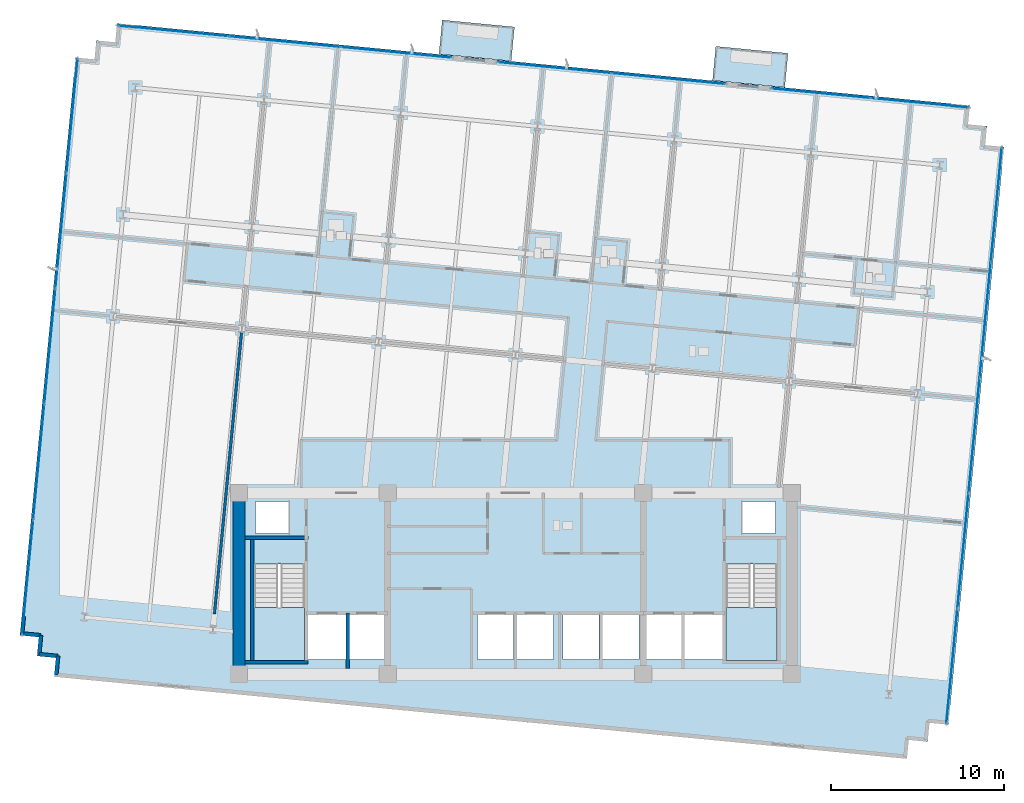
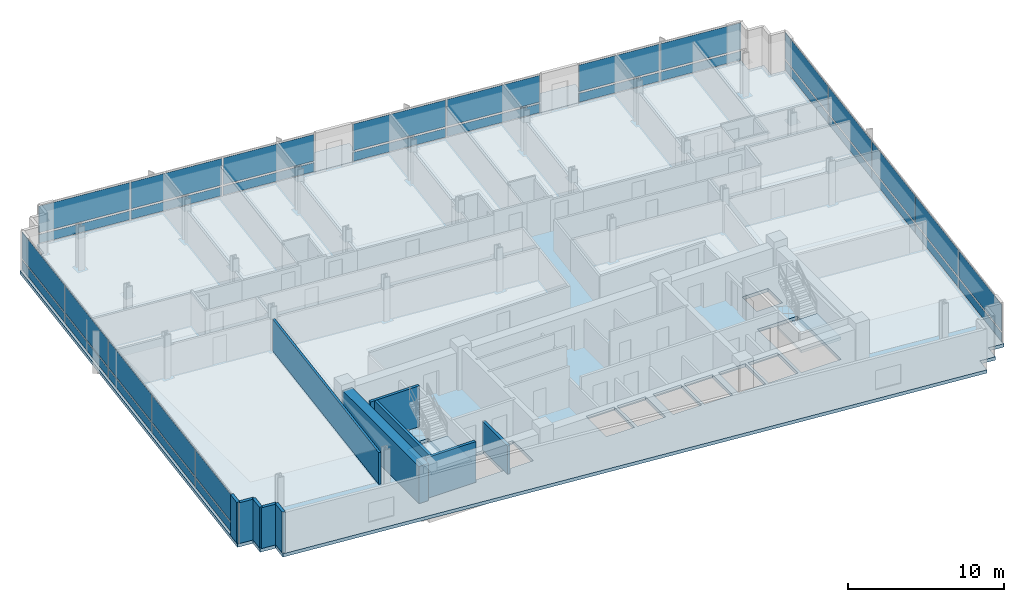
# One storey, part 9 of 17: 34 plates, 11 walls, 5 slabs, 7 elements without a shape of their own.
"""IFC4 building model written with IfcOpenShell, lengths in metres."""

from ifc_helpers import new_model, si_unit, direction, frame, frame_2d, origin, origin_2d, place, context, subcontext, project, spatial, polyline, rectangle, outline, extrude, material, layer, layer_set, type_object, element, aggregate, save


model = new_model("IFC4")

# Units and contexts
model_context = context("Model", 3, precision=1e-05, world=origin(), true_north=direction((0.0, 1.0)))
body_context = subcontext(model_context, "Body", "Model", "MODEL_VIEW")
ifc_project = project(units=[si_unit("LENGTHUNIT", "METRE"), si_unit("AREAUNIT", "SQUARE_METRE"), si_unit("VOLUMEUNIT", "CUBIC_METRE"), si_unit("PLANEANGLEUNIT", "RADIAN"), si_unit("MASSUNIT", "GRAM", prefix="KILO")], contexts=[model_context])

# Site, building, storey
site_placement = place(None, origin())
site = spatial("IfcSite", under=ifc_project, at=site_placement, CompositionType="ELEMENT")
building_placement = place(site_placement, origin())
building = spatial("IfcBuilding", under=site, at=building_placement, Name="Solmavex Isthmus Hotel", CompositionType="ELEMENT")
storey_placement = place(building_placement, frame((0.0, 0.0, 173.85009765625)))
storey = spatial("IfcBuildingStorey", under=building, at=storey_placement, Name="L47", CompositionType="ELEMENT", Elevation=173.85009765625)

# Curtain wall, plates
ifc_material_1 = material(Name="Aluminium alloy 6063-T6", Category="aluminium")
curtain_wall_type = type_object("IfcCurtainWallType", Name="CW-SYS-03", PredefinedType="NOTDEFINED", material=ifc_material_1)
curtain_wall_1_placement = place(storey_placement, origin())
curtain_wall_1 = element("IfcCurtainWall", 1, at=curtain_wall_1_placement, inside=storey, type_object=curtain_wall_type, Name="Stick Curtain Wall CWL-L47-N1", PredefinedType="NOTDEFINED")
ifc_material_2 = material(Name="Clear low-E laminated glass", Category="glass")
ifc_layer_1 = layer(ifc_material_2, 0.030029296875)
ifc_layer_set_1 = layer_set([ifc_layer_1], Name="Clear low-E laminated glass")
plate_type = type_object("IfcPlateType", Name="CW-SYS-03-PNL", PredefinedType="CURTAIN_PANEL", material=ifc_layer_set_1)
plate_1_placement = place(storey_placement, frame((-19.820068359375, 24.256591796875, 0.139892578125), z_axis=(0.0, 0.0, 1.0), x_axis=(0.995396204731, -0.095845686434, 0.0)))
plate_1 = element("IfcPlate", 2, at=plate_1_placement, type_object=plate_type, Name="CW-03 panel 1.1", PredefinedType="CURTAIN_PANEL", context=body_context, shape_type="SweptSolid", body=[
    extrude(rectangle(XDim=6.40234375, YDim=0.030029296875, at=origin_2d()), origin(), (0.0, 0.0, 1.0), 0.68994140625),
])
plate_2_placement = place(storey_placement, frame((-19.820068359375, 24.256591796875, 0.969970703125), z_axis=(0.0, 0.0, 1.0), x_axis=(0.995396204731, -0.095845686434, 0.0)))
plate_2 = element("IfcPlate", 3, at=plate_2_placement, type_object=plate_type, Name="CW-03 panel 1.2", PredefinedType="CURTAIN_PANEL", context=body_context, shape_type="SweptSolid", body=[
    extrude(rectangle(XDim=6.40234375, YDim=0.030029296875, at=origin_2d()), origin(), (0.0, 0.0, 1.0), 2.080078125),
])
plate_3_placement = place(storey_placement, frame((-13.360107421875, 23.634521484375, 0.139892578125), z_axis=(0.0, 0.0, 1.0), x_axis=(0.995396204731, -0.095845686434, 0.0)))
plate_3 = element("IfcPlate", 4, at=plate_3_placement, type_object=plate_type, Name="CW-03 panel 2.1", PredefinedType="CURTAIN_PANEL", context=body_context, shape_type="SweptSolid", body=[
    extrude(rectangle(XDim=6.437255859375, YDim=0.030029296875, at=origin_2d()), origin(), (0.0, 0.0, 1.0), 0.68994140625),
])
plate_4_placement = place(storey_placement, frame((-13.360107421875, 23.634521484375, 0.969970703125), z_axis=(0.0, 0.0, 1.0), x_axis=(0.995396204731, -0.095845686434, 0.0)))
plate_4 = element("IfcPlate", 5, at=plate_4_placement, type_object=plate_type, Name="CW-03 panel 2.2", PredefinedType="CURTAIN_PANEL", context=body_context, shape_type="SweptSolid", body=[
    extrude(rectangle(XDim=6.437255859375, YDim=0.030029296875, at=origin_2d()), origin(), (0.0, 0.0, 1.0), 2.080078125),
])
plate_5_placement = place(storey_placement, frame((-6.900146484375, 23.012451171875, 0.139892578125), z_axis=(0.0, 0.0, 1.0), x_axis=(0.995396204731, -0.095845686434, 0.0)))
plate_5 = element("IfcPlate", 6, at=plate_5_placement, type_object=plate_type, Name="CW-03 panel 3.1", PredefinedType="CURTAIN_PANEL", context=body_context, shape_type="SweptSolid", body=[
    extrude(rectangle(XDim=6.40234375, YDim=0.030029296875, at=origin_2d()), origin(), (0.0, 0.0, 1.0), 0.68994140625),
])
plate_6_placement = place(storey_placement, frame((-6.900146484375, 23.012451171875, 0.969970703125), z_axis=(0.0, 0.0, 1.0), x_axis=(0.995396204731, -0.095845686434, 0.0)))
plate_6 = element("IfcPlate", 7, at=plate_6_placement, type_object=plate_type, Name="CW-03 panel 3.2", PredefinedType="CURTAIN_PANEL", context=body_context, shape_type="SweptSolid", body=[
    extrude(rectangle(XDim=6.40234375, YDim=0.030029296875, at=origin_2d()), origin(), (0.0, 0.0, 1.0), 2.080078125),
])
aggregate(curtain_wall_1, [plate_1, plate_2, plate_3, plate_4, plate_5, plate_6])

curtain_wall_2_placement = place(storey_placement, origin())
curtain_wall_2 = element("IfcCurtainWall", 8, at=curtain_wall_2_placement, inside=storey, type_object=curtain_wall_type, Name="Stick Curtain Wall CWL-L47-N2", PredefinedType="NOTDEFINED")
plate_7_placement = place(storey_placement, frame((2.27392578125, 22.129150390625, 0.139892578125), z_axis=(0.0, 0.0, 1.0), x_axis=(0.995396257521, -0.095845138178, 0.0)))
plate_7 = element("IfcPlate", 9, at=plate_7_placement, type_object=plate_type, Name="CW-03 panel 1.1", PredefinedType="CURTAIN_PANEL", context=body_context, shape_type="SweptSolid", body=[
    extrude(rectangle(XDim=6.551025390625, YDim=0.030029296875, at=origin_2d()), origin(), (0.0, 0.0, 1.0), 0.68994140625),
])
plate_8_placement = place(storey_placement, frame((2.27392578125, 22.129150390625, 0.969970703125), z_axis=(0.0, 0.0, 1.0), x_axis=(0.995396257521, -0.095845138178, 0.0)))
plate_8 = element("IfcPlate", 10, at=plate_8_placement, type_object=plate_type, Name="CW-03 panel 1.2", PredefinedType="CURTAIN_PANEL", context=body_context, shape_type="SweptSolid", body=[
    extrude(rectangle(XDim=6.551025390625, YDim=0.030029296875, at=origin_2d()), origin(), (0.0, 0.0, 1.0), 2.080078125),
])
plate_9_placement = place(storey_placement, frame((8.864501953125, 21.49462890625, 0.139892578125), z_axis=(0.0, 0.0, 1.0), x_axis=(0.995396257521, -0.095845138178, 0.0)))
plate_9 = element("IfcPlate", 11, at=plate_9_placement, type_object=plate_type, Name="CW-03 panel 2.1", PredefinedType="CURTAIN_PANEL", context=body_context, shape_type="SweptSolid", body=[
    extrude(rectangle(XDim=6.551025390625, YDim=0.030029296875, at=origin_2d()), origin(), (0.0, 0.0, 1.0), 0.68994140625),
])
plate_10_placement = place(storey_placement, frame((8.864501953125, 21.49462890625, 0.969970703125), z_axis=(0.0, 0.0, 1.0), x_axis=(0.995396257521, -0.095845138178, 0.0)))
plate_10 = element("IfcPlate", 12, at=plate_10_placement, type_object=plate_type, Name="CW-03 panel 2.2", PredefinedType="CURTAIN_PANEL", context=body_context, shape_type="SweptSolid", body=[
    extrude(rectangle(XDim=6.551025390625, YDim=0.030029296875, at=origin_2d()), origin(), (0.0, 0.0, 1.0), 2.080078125),
])
aggregate(curtain_wall_2, [plate_7, plate_8, plate_9, plate_10])

curtain_wall_3_placement = place(storey_placement, origin())
curtain_wall_3 = element("IfcCurtainWall", 13, at=curtain_wall_3_placement, inside=storey, type_object=curtain_wall_type, Name="Stick Curtain Wall CWL-L47-N3", PredefinedType="NOTDEFINED")
plate_11_placement = place(storey_placement, frame((17.67822265625, 20.645751953125, 0.139892578125), z_axis=(0.0, 0.0, 1.0), x_axis=(0.995396212717, -0.095845603495, 0.0)))
plate_11 = element("IfcPlate", 14, at=plate_11_placement, type_object=plate_type, Name="CW-03 panel 1.1", PredefinedType="CURTAIN_PANEL", context=body_context, shape_type="SweptSolid", body=[
    extrude(rectangle(XDim=5.677978515625, YDim=0.030029296875, at=origin_2d()), origin(), (0.0, 0.0, 1.0), 0.68994140625),
])
plate_12_placement = place(storey_placement, frame((17.67822265625, 20.645751953125, 0.969970703125), z_axis=(0.0, 0.0, 1.0), x_axis=(0.995396212717, -0.095845603495, 0.0)))
plate_12 = element("IfcPlate", 15, at=plate_12_placement, type_object=plate_type, Name="CW-03 panel 1.2", PredefinedType="CURTAIN_PANEL", context=body_context, shape_type="SweptSolid", body=[
    extrude(rectangle(XDim=5.677978515625, YDim=0.030029296875, at=origin_2d()), origin(), (0.0, 0.0, 1.0), 2.080078125),
])
plate_13_placement = place(storey_placement, frame((23.39990234375, 20.094970703125, 0.139892578125), z_axis=(0.0, 0.0, 1.0), x_axis=(0.995396212717, -0.095845603495, 0.0)))
plate_13 = element("IfcPlate", 16, at=plate_13_placement, type_object=plate_type, Name="CW-03 panel 2.1", PredefinedType="CURTAIN_PANEL", context=body_context, shape_type="SweptSolid", body=[
    extrude(rectangle(XDim=5.677978515625, YDim=0.030029296875, at=origin_2d()), origin(), (0.0, 0.0, 1.0), 0.68994140625),
])
plate_14_placement = place(storey_placement, frame((23.39990234375, 20.094970703125, 0.969970703125), z_axis=(0.0, 0.0, 1.0), x_axis=(0.995396212717, -0.095845603495, 0.0)))
plate_14 = element("IfcPlate", 17, at=plate_14_placement, type_object=plate_type, Name="CW-03 panel 2.2", PredefinedType="CURTAIN_PANEL", context=body_context, shape_type="SweptSolid", body=[
    extrude(rectangle(XDim=5.677978515625, YDim=0.030029296875, at=origin_2d()), origin(), (0.0, 0.0, 1.0), 2.080078125),
])
aggregate(curtain_wall_3, [plate_11, plate_12, plate_13, plate_14])

curtain_wall_4_placement = place(storey_placement, origin())
curtain_wall_4 = element("IfcCurtainWall", 18, at=curtain_wall_4_placement, inside=storey, type_object=curtain_wall_type, Name="Stick Curtain Wall CWL-L47-W1", PredefinedType="NOTDEFINED")
plate_15_placement = place(storey_placement, frame((-28.24267578125, -7.38427734375, 0.139892578125), z_axis=(0.0, 0.0, 1.0), x_axis=(0.09584583902, 0.995396190038, 0.0)))
plate_15 = element("IfcPlate", 19, at=plate_15_placement, type_object=plate_type, Name="CW-03 panel 1.1", PredefinedType="CURTAIN_PANEL", context=body_context, shape_type="SweptSolid", body=[
    extrude(rectangle(XDim=6.614990234375, YDim=0.030029296875, at=origin_2d()), origin(), (0.0, 0.0, 1.0), 0.68994140625),
])
plate_16_placement = place(storey_placement, frame((-28.24267578125, -7.38427734375, 0.969970703125), z_axis=(0.0, 0.0, 1.0), x_axis=(0.09584583902, 0.995396190038, 0.0)))
plate_16 = element("IfcPlate", 20, at=plate_16_placement, type_object=plate_type, Name="CW-03 panel 1.2", PredefinedType="CURTAIN_PANEL", context=body_context, shape_type="SweptSolid", body=[
    extrude(rectangle(XDim=6.614990234375, YDim=0.030029296875, at=origin_2d()), origin(), (0.0, 0.0, 1.0), 2.080078125),
])
plate_17_placement = place(storey_placement, frame((-27.600341796875, -0.712646484375, 0.139892578125), z_axis=(0.0, 0.0, 1.0), x_axis=(0.09584583902, 0.995396190038, 0.0)))
plate_17 = element("IfcPlate", 21, at=plate_17_placement, type_object=plate_type, Name="CW-03 panel 2.1", PredefinedType="CURTAIN_PANEL", context=body_context, shape_type="SweptSolid", body=[
    extrude(rectangle(XDim=6.64990234375, YDim=0.030029296875, at=origin_2d()), origin(), (0.0, 0.0, 1.0), 0.68994140625),
])
plate_18_placement = place(storey_placement, frame((-27.600341796875, -0.712646484375, 0.969970703125), z_axis=(0.0, 0.0, 1.0), x_axis=(0.09584583902, 0.995396190038, 0.0)))
plate_18 = element("IfcPlate", 22, at=plate_18_placement, type_object=plate_type, Name="CW-03 panel 2.2", PredefinedType="CURTAIN_PANEL", context=body_context, shape_type="SweptSolid", body=[
    extrude(rectangle(XDim=6.64990234375, YDim=0.030029296875, at=origin_2d()), origin(), (0.0, 0.0, 1.0), 2.080078125),
])
plate_19_placement = place(storey_placement, frame((-26.956298828125, 5.976318359375, 0.139892578125), z_axis=(0.0, 0.0, 1.0), x_axis=(0.09584583902, 0.995396190038, 0.0)))
plate_19 = element("IfcPlate", 23, at=plate_19_placement, type_object=plate_type, Name="CW-03 panel 3.1", PredefinedType="CURTAIN_PANEL", context=body_context, shape_type="SweptSolid", body=[
    extrude(rectangle(XDim=6.64990234375, YDim=0.030029296875, at=origin_2d()), origin(), (0.0, 0.0, 1.0), 0.68994140625),
])
plate_20_placement = place(storey_placement, frame((-26.956298828125, 5.976318359375, 0.969970703125), z_axis=(0.0, 0.0, 1.0), x_axis=(0.09584583902, 0.995396190038, 0.0)))
plate_20 = element("IfcPlate", 24, at=plate_20_placement, type_object=plate_type, Name="CW-03 panel 3.2", PredefinedType="CURTAIN_PANEL", context=body_context, shape_type="SweptSolid", body=[
    extrude(rectangle(XDim=6.64990234375, YDim=0.030029296875, at=origin_2d()), origin(), (0.0, 0.0, 1.0), 2.080078125),
])
plate_21_placement = place(storey_placement, frame((-26.312255859375, 12.665283203125, 0.139892578125), z_axis=(0.0, 0.0, 1.0), x_axis=(0.09584583902, 0.995396190038, 0.0)))
plate_21 = element("IfcPlate", 25, at=plate_21_placement, type_object=plate_type, Name="CW-03 panel 4.1", PredefinedType="CURTAIN_PANEL", context=body_context, shape_type="SweptSolid", body=[
    extrude(rectangle(XDim=6.64990234375, YDim=0.030029296875, at=origin_2d()), origin(), (0.0, 0.0, 1.0), 0.68994140625),
])
plate_22_placement = place(storey_placement, frame((-26.312255859375, 12.665283203125, 0.969970703125), z_axis=(0.0, 0.0, 1.0), x_axis=(0.09584583902, 0.995396190038, 0.0)))
plate_22 = element("IfcPlate", 26, at=plate_22_placement, type_object=plate_type, Name="CW-03 panel 4.2", PredefinedType="CURTAIN_PANEL", context=body_context, shape_type="SweptSolid", body=[
    extrude(rectangle(XDim=6.64990234375, YDim=0.030029296875, at=origin_2d()), origin(), (0.0, 0.0, 1.0), 2.080078125),
])
plate_23_placement = place(storey_placement, frame((-25.669677734375, 19.337158203125, 0.139892578125), z_axis=(0.0, 0.0, 1.0), x_axis=(0.09584583902, 0.995396190038, 0.0)))
plate_23 = element("IfcPlate", 27, at=plate_23_placement, type_object=plate_type, Name="CW-03 panel 5.1", PredefinedType="CURTAIN_PANEL", context=body_context, shape_type="SweptSolid", body=[
    extrude(rectangle(XDim=6.614990234375, YDim=0.030029296875, at=origin_2d()), origin(), (0.0, 0.0, 1.0), 0.68994140625),
])
plate_24_placement = place(storey_placement, frame((-25.669677734375, 19.337158203125, 0.969970703125), z_axis=(0.0, 0.0, 1.0), x_axis=(0.09584583902, 0.995396190038, 0.0)))
plate_24 = element("IfcPlate", 28, at=plate_24_placement, type_object=plate_type, Name="CW-03 panel 5.2", PredefinedType="CURTAIN_PANEL", context=body_context, shape_type="SweptSolid", body=[
    extrude(rectangle(XDim=6.614990234375, YDim=0.030029296875, at=origin_2d()), origin(), (0.0, 0.0, 1.0), 2.080078125),
])
aggregate(curtain_wall_4, [plate_15, plate_16, plate_17, plate_18, plate_19, plate_20, plate_21, plate_22, plate_23, plate_24])

curtain_wall_5_placement = place(storey_placement, origin())
curtain_wall_5 = element("IfcCurtainWall", 29, at=curtain_wall_5_placement, inside=storey, type_object=curtain_wall_type, Name="Stick Curtain Wall CWL-L47-E1", PredefinedType="NOTDEFINED")
plate_25_placement = place(storey_placement, frame((25.269775390625, -12.537109375, 0.139892578125), z_axis=(0.0, 0.0, 1.0), x_axis=(0.09584583902, 0.995396190038, 0.0)))
plate_25 = element("IfcPlate", 30, at=plate_25_placement, type_object=plate_type, Name="CW-03 panel 1.1", PredefinedType="CURTAIN_PANEL", context=body_context, shape_type="SweptSolid", body=[
    extrude(rectangle(XDim=6.614990234375, YDim=0.030029296875, at=origin_2d()), origin(), (0.0, 0.0, 1.0), 0.68994140625),
])
plate_26_placement = place(storey_placement, frame((25.269775390625, -12.537109375, 0.969970703125), z_axis=(0.0, 0.0, 1.0), x_axis=(0.09584583902, 0.995396190038, 0.0)))
plate_26 = element("IfcPlate", 31, at=plate_26_placement, type_object=plate_type, Name="CW-03 panel 1.2", PredefinedType="CURTAIN_PANEL", context=body_context, shape_type="SweptSolid", body=[
    extrude(rectangle(XDim=6.614990234375, YDim=0.030029296875, at=origin_2d()), origin(), (0.0, 0.0, 1.0), 2.080078125),
])
plate_27_placement = place(storey_placement, frame((25.912109375, -5.865478515625, 0.139892578125), z_axis=(0.0, 0.0, 1.0), x_axis=(0.09584583902, 0.995396190038, 0.0)))
plate_27 = element("IfcPlate", 32, at=plate_27_placement, type_object=plate_type, Name="CW-03 panel 2.1", PredefinedType="CURTAIN_PANEL", context=body_context, shape_type="SweptSolid", body=[
    extrude(rectangle(XDim=6.64990234375, YDim=0.030029296875, at=origin_2d()), origin(), (0.0, 0.0, 1.0), 0.68994140625),
])
plate_28_placement = place(storey_placement, frame((25.912109375, -5.865478515625, 0.969970703125), z_axis=(0.0, 0.0, 1.0), x_axis=(0.09584583902, 0.995396190038, 0.0)))
plate_28 = element("IfcPlate", 33, at=plate_28_placement, type_object=plate_type, Name="CW-03 panel 2.2", PredefinedType="CURTAIN_PANEL", context=body_context, shape_type="SweptSolid", body=[
    extrude(rectangle(XDim=6.64990234375, YDim=0.030029296875, at=origin_2d()), origin(), (0.0, 0.0, 1.0), 2.080078125),
])
plate_29_placement = place(storey_placement, frame((26.55615234375, 0.82373046875, 0.139892578125), z_axis=(0.0, 0.0, 1.0), x_axis=(0.09584583902, 0.995396190038, 0.0)))
plate_29 = element("IfcPlate", 34, at=plate_29_placement, type_object=plate_type, Name="CW-03 panel 3.1", PredefinedType="CURTAIN_PANEL", context=body_context, shape_type="SweptSolid", body=[
    extrude(rectangle(XDim=6.64990234375, YDim=0.030029296875, at=origin_2d()), origin(), (0.0, 0.0, 1.0), 0.68994140625),
])
plate_30_placement = place(storey_placement, frame((26.55615234375, 0.82373046875, 0.969970703125), z_axis=(0.0, 0.0, 1.0), x_axis=(0.09584583902, 0.995396190038, 0.0)))
plate_30 = element("IfcPlate", 35, at=plate_30_placement, type_object=plate_type, Name="CW-03 panel 3.2", PredefinedType="CURTAIN_PANEL", context=body_context, shape_type="SweptSolid", body=[
    extrude(rectangle(XDim=6.64990234375, YDim=0.030029296875, at=origin_2d()), origin(), (0.0, 0.0, 1.0), 2.080078125),
])
plate_31_placement = place(storey_placement, frame((27.200439453125, 7.5126953125, 0.139892578125), z_axis=(0.0, 0.0, 1.0), x_axis=(0.09584583902, 0.995396190038, 0.0)))
plate_31 = element("IfcPlate", 36, at=plate_31_placement, type_object=plate_type, Name="CW-03 panel 4.1", PredefinedType="CURTAIN_PANEL", context=body_context, shape_type="SweptSolid", body=[
    extrude(rectangle(XDim=6.64990234375, YDim=0.030029296875, at=origin_2d()), origin(), (0.0, 0.0, 1.0), 0.68994140625),
])
plate_32_placement = place(storey_placement, frame((27.200439453125, 7.5126953125, 0.969970703125), z_axis=(0.0, 0.0, 1.0), x_axis=(0.09584583902, 0.995396190038, 0.0)))
plate_32 = element("IfcPlate", 37, at=plate_32_placement, type_object=plate_type, Name="CW-03 panel 4.2", PredefinedType="CURTAIN_PANEL", context=body_context, shape_type="SweptSolid", body=[
    extrude(rectangle(XDim=6.64990234375, YDim=0.030029296875, at=origin_2d()), origin(), (0.0, 0.0, 1.0), 2.080078125),
])
plate_33_placement = place(storey_placement, frame((27.8427734375, 14.184326171875, 0.139892578125), z_axis=(0.0, 0.0, 1.0), x_axis=(0.09584583902, 0.995396190038, 0.0)))
plate_33 = element("IfcPlate", 38, at=plate_33_placement, type_object=plate_type, Name="CW-03 panel 5.1", PredefinedType="CURTAIN_PANEL", context=body_context, shape_type="SweptSolid", body=[
    extrude(rectangle(XDim=6.614990234375, YDim=0.030029296875, at=origin_2d()), origin(), (0.0, 0.0, 1.0), 0.68994140625),
])
plate_34_placement = place(storey_placement, frame((27.8427734375, 14.184326171875, 0.969970703125), z_axis=(0.0, 0.0, 1.0), x_axis=(0.09584583902, 0.995396190038, 0.0)))
plate_34 = element("IfcPlate", 39, at=plate_34_placement, type_object=plate_type, Name="CW-03 panel 5.2", PredefinedType="CURTAIN_PANEL", context=body_context, shape_type="SweptSolid", body=[
    extrude(rectangle(XDim=6.614990234375, YDim=0.030029296875, at=origin_2d()), origin(), (0.0, 0.0, 1.0), 2.080078125),
])
aggregate(curtain_wall_5, [plate_25, plate_26, plate_27, plate_28, plate_29, plate_30, plate_31, plate_32, plate_33, plate_34])

# Slabs
ifc_material_3 = material(Name="Concrete C40/50", Category="concrete")
ifc_layer_2 = layer(ifc_material_3, 0.239990234375)
ifc_layer_set_2 = layer_set([ifc_layer_2], Name="Concrete C40/50")
slab_type_1 = type_object("IfcSlabType", Name="SLAB-BALC-240", PredefinedType="FLOOR", material=ifc_layer_set_2)
slab_1_placement = place(storey_placement, frame((0.0, 0.0, -0.239990234375)))
element("IfcSlab", 40, at=slab_1_placement, inside=storey, type_object=slab_type_1, Name="Tree-Planter Balcony Slab L47-B1", PredefinedType="FLOOR", context=body_context, shape_type="SweptSolid", body=[
    extrude(outline(polyline([(-4.427490234375, 22.909912109375), (-0.246826171875, 22.507568359375), (-0.056640625, 24.4833984375), (-4.2373046875, 24.885986328125), (-4.427490234375, 22.909912109375)])), origin(), (0.0, 0.0, 1.0), 0.239990234375),
])
slab_2_placement = place(storey_placement, frame((0.0, 0.0, -0.239990234375)))
element("IfcSlab", 41, at=slab_2_placement, inside=storey, type_object=slab_type_1, Name="Tree-Planter Balcony Slab L47-B2", PredefinedType="FLOOR", context=body_context, shape_type="SweptSolid", body=[
    extrude(outline(polyline([(11.4111328125, 21.385009765625), (15.591796875, 20.982421875), (15.7822265625, 22.958251953125), (11.6015625, 23.36083984375), (11.4111328125, 21.385009765625)])), origin(), (0.0, 0.0, 1.0), 0.239990234375),
])
ifc_layer_3 = layer(ifc_material_3, 0.260009765625)
ifc_layer_set_3 = layer_set([ifc_layer_3], Name="Concrete C40/50")
slab_type_2 = type_object("IfcSlabType", Name="SLAB-TYP-260", PredefinedType="FLOOR", material=ifc_layer_set_3)
slab_3_placement = place(storey_placement, frame((0.0, 0.0, -0.260009765625)))
element("IfcSlab", 42, at=slab_3_placement, inside=storey, type_object=slab_type_2, Name="Tower Structural Floor Slab L47", PredefinedType="FLOOR", context=body_context, shape_type="SweptSolid", body=[
    extrude(outline(polyline([(-25.612060546875, -13.240966796875), (21.56982421875, -17.7841796875), (22.664794921875, -17.889404296875), (22.770263671875, -16.794677734375), (23.865234375, -16.89990234375), (23.970458984375, -15.80517578125), (25.0654296875, -15.910400390625), (25.1708984375, -14.815673828125), (28.180419921875, 16.43994140625), (28.285888671875, 17.534912109375), (27.19091796875, 17.64013671875), (27.29638671875, 18.735107421875), (26.201416015625, 18.840576171875), (26.306884765625, 19.935546875), (25.2119140625, 20.041015625), (-21.9697265625, 24.583984375), (-23.064697265625, 24.689453125), (-23.170166015625, 23.594482421875), (-24.26513671875, 23.699951171875), (-24.37060546875, 22.60498046875), (-25.465576171875, 22.71044921875), (-25.57080078125, 21.615478515625), (-28.58056640625, -9.639892578125), (-28.685791015625, -10.73486328125), (-27.591064453125, -10.84033203125), (-27.6962890625, -11.935302734375), (-26.6015625, -12.04052734375), (-26.706787109375, -13.135498046875), (-25.612060546875, -13.240966796875)]), holes=[polyline([(-15.14990234375, -6.617919921875), (-15.14990234375, -12.199951171875), (-12.199951171875, -12.199951171875), (-12.199951171875, -6.617919921875), (-15.14990234375, -6.617919921875)]), polyline([(12.199951171875, -6.617919921875), (12.199951171875, -12.199951171875), (15.14990234375, -12.199951171875), (15.14990234375, -6.617919921875), (12.199951171875, -6.617919921875)]), polyline([(-12.0, -12.14990234375), (-9.800048828125, -12.14990234375), (-9.800048828125, -9.550048828125), (-12.0, -9.550048828125), (-12.0, -12.14990234375)]), polyline([(9.800048828125, -12.14990234375), (12.0, -12.14990234375), (12.0, -9.550048828125), (9.800048828125, -9.550048828125), (9.800048828125, -12.14990234375)]), polyline([(-9.60009765625, -12.14990234375), (-7.60009765625, -12.14990234375), (-7.60009765625, -9.550048828125), (-9.60009765625, -9.550048828125), (-9.60009765625, -12.14990234375)]), polyline([(7.60009765625, -12.14990234375), (9.60009765625, -12.14990234375), (9.60009765625, -9.550048828125), (7.60009765625, -9.550048828125), (7.60009765625, -12.14990234375)]), polyline([(-2.199951171875, -12.14990234375), (-0.10009765625, -12.14990234375), (-0.10009765625, -9.550048828125), (-2.199951171875, -9.550048828125), (-2.199951171875, -12.14990234375)]), polyline([(0.10009765625, -12.14990234375), (2.199951171875, -12.14990234375), (2.199951171875, -9.550048828125), (0.10009765625, -9.550048828125), (0.10009765625, -12.14990234375)]), polyline([(2.75, -12.14990234375), (4.85009765625, -12.14990234375), (4.85009765625, -9.550048828125), (2.75, -9.550048828125), (2.75, -12.14990234375)]), polyline([(5.050048828125, -12.14990234375), (7.14990234375, -12.14990234375), (7.14990234375, -9.550048828125), (5.050048828125, -9.550048828125), (5.050048828125, -12.14990234375)]), polyline([(-15.050048828125, -4.85009765625), (-13.14990234375, -4.85009765625), (-13.14990234375, -3.0), (-15.050048828125, -3.0), (-15.050048828125, -4.85009765625)]), polyline([(13.14990234375, -4.85009765625), (15.050048828125, -4.85009765625), (15.050048828125, -3.0), (13.14990234375, -3.0), (13.14990234375, -4.85009765625)])]), origin(), (0.0, 0.0, 1.0), 0.260009765625),
])

# Stair, slab
stair_type_1 = type_object("IfcStairType", Name="STR-ST-1", PredefinedType="HALF_TURN_STAIR", material=ifc_material_3)
stair_1_placement = place(storey_placement, origin())
stair_1 = element("IfcStair", 43, at=stair_1_placement, inside=storey, type_object=stair_type_1, Name="L47 Protected Exit Stair ST-1", PredefinedType="HALF_TURN_STAIR")
ifc_layer_4 = layer(ifc_material_3, 0.219970703125)
ifc_layer_set_4 = layer_set([ifc_layer_4], Name="Concrete C40/50")
slab_type_3 = type_object("IfcSlabType", Name="SLD-ST-1", PredefinedType="LANDING", material=ifc_layer_set_4)
slab_4_placement = place(storey_placement, frame((0.0, 0.0, 1.52490234375)))
slab_4 = element("IfcSlab", 44, at=slab_4_placement, type_object=slab_type_3, Name="ST-1 landing 1", PredefinedType="LANDING", context=body_context, shape_type="SweptSolid", body=[
    extrude(outline(polyline([(-15.14990234375, -9.1201171875), (-15.14990234375, -12.199951171875), (-12.199951171875, -12.199951171875), (-12.199951171875, -9.1201171875), (-15.14990234375, -9.1201171875)])), origin(), (0.0, 0.0, 1.0), 0.199951171875),
])
aggregate(stair_1, [slab_4])

stair_type_2 = type_object("IfcStairType", Name="STR-ST-2", PredefinedType="HALF_TURN_STAIR", material=ifc_material_3)
stair_2_placement = place(storey_placement, origin())
stair_2 = element("IfcStair", 45, at=stair_2_placement, inside=storey, type_object=stair_type_2, Name="L47 Protected Exit Stair ST-2", PredefinedType="HALF_TURN_STAIR")
ifc_layer_5 = layer(ifc_material_3, 0.219970703125)
ifc_layer_set_5 = layer_set([ifc_layer_5], Name="Concrete C40/50")
slab_type_4 = type_object("IfcSlabType", Name="SLD-ST-2", PredefinedType="LANDING", material=ifc_layer_set_5)
slab_5_placement = place(storey_placement, frame((0.0, 0.0, 1.52490234375)))
slab_5 = element("IfcSlab", 46, at=slab_5_placement, type_object=slab_type_4, Name="ST-2 landing 1", PredefinedType="LANDING", context=body_context, shape_type="SweptSolid", body=[
    extrude(outline(polyline([(12.199951171875, -9.1201171875), (12.199951171875, -12.199951171875), (15.14990234375, -12.199951171875), (15.14990234375, -9.1201171875), (12.199951171875, -9.1201171875)])), origin(), (0.0, 0.0, 1.0), 0.199951171875),
])
aggregate(stair_2, [slab_5])

# Walls
ifc_material_4 = material(Name="Precast Concrete C40/50", Category="concrete")
ifc_layer_6 = layer(ifc_material_4, 0.25)
ifc_layer_set_6 = layer_set([ifc_layer_6], Name="Precast Concrete C40/50")
wall_type_1 = type_object("IfcWallType", Name="EW-TWR-250", PredefinedType="STANDARD", material=ifc_layer_set_6)
for number, where, z_axis, x_axis, name in (
    (47, (-26.5869140625, -13.03662109375, 0.0), (0.0, 0.0, 1.0), (0.095877334176, 0.995393156894, 0.0), "Serrated Corner Facade Panel L47-01"),
    (48, (-26.4814453125, -11.941650390625, 0.0), (0.0, 0.0, 1.0), (-0.995393156894, 0.095877334176, 0.0), "Serrated Corner Facade Panel L47-02"),
    (49, (-27.576416015625, -11.836181640625, 0.0), (0.0, 0.0, 1.0), (0.095877334176, 0.995393156894, 0.0), "Serrated Corner Facade Panel L47-03"),
    (50, (-27.470947265625, -10.7412109375, 0.0), (0.0, 0.0, 1.0), (-0.995414313875, 0.095657429048, 0.0), "Serrated Corner Facade Panel L47-04"),
):
    element("IfcWall", number, at=place(storey_placement, frame(where, z_axis=z_axis, x_axis=x_axis)), inside=storey, type_object=wall_type_1, Name=name, PredefinedType="STANDARD", context=body_context, shape_type="SweptSolid", body=[
        extrude(rectangle(XDim=1.10009765625, YDim=0.219970703125, at=frame_2d((0.550048828125, 0.0))), origin(), (0.0, 0.0, 1.0), 3.18994140625),
    ])
wall_1_placement = place(storey_placement, frame((-28.56591796875, -10.635986328125, 0.0), z_axis=(0.0, 0.0, 1.0), x_axis=(0.095914428506, 0.995389583231, 0.0)))
element("IfcWall", 51, at=wall_1_placement, inside=storey, type_object=wall_type_1, Name="Serrated Corner Facade Panel L47-05", PredefinedType="STANDARD", context=body_context, shape_type="SweptSolid", body=[
    extrude(rectangle(XDim=0.990234375, YDim=0.219970703125, at=frame_2d((0.4951171875, 0.0))), origin(), (0.0, 0.0, 1.0), 3.18994140625),
])
ifc_material_5 = material(Name="Gypsum plasterboard lining", Category="gypsum")
ifc_layer_7 = layer(ifc_material_5, 0.159912109375)
ifc_layer_set_7 = layer_set([ifc_layer_7], Name="Gypsum plasterboard lining")
wall_type_2 = type_object("IfcWallType", Name="IW-COMP-160", PredefinedType="PARTITIONING", material=ifc_layer_set_7)
wall_2_placement = place(storey_placement, frame((-17.427490234375, -9.498291015625, 0.0), z_axis=(0.0, 0.0, 1.0), x_axis=(0.095846460307, 0.995396130215, 0.0)))
element("IfcWall", 52, at=wall_2_placement, inside=storey, type_object=wall_type_2, Name="Interior Partition Wall W-L47-P075", PredefinedType="PARTITIONING", context=body_context, shape_type="SweptSolid", body=[
    extrude(rectangle(XDim=16.414306640625, YDim=0.159912109375, at=frame_2d((8.20703125, 0.0))), origin(), (0.0, 0.0, 1.0), 2.4794921875),
])
ifc_layer_8 = layer(ifc_material_3, 0.199951171875)
ifc_layer_set_8 = layer_set([ifc_layer_8], Name="Concrete C40/50")
wall_type_3 = type_object("IfcWallType", Name="IW-SHAFT-200", PredefinedType="PARTITIONING", material=ifc_layer_set_8)
wall_3_placement = place(storey_placement, frame((-9.699951171875, -12.64990234375, 0.0), z_axis=(0.0, 0.0, 1.0), x_axis=(0.0, 1.0, 0.0)))
element("IfcWall", 53, at=wall_3_placement, inside=storey, type_object=wall_type_3, Name="Interior Partition Wall W-L47-FFLW-M", PredefinedType="PARTITIONING", context=body_context, shape_type="SweptSolid", body=[
    extrude(rectangle(XDim=3.199951171875, YDim=0.199951171875, at=frame_2d((1.60009765625, 0.0))), origin(), (0.0, 0.0, 1.0), 2.224853515625),
])
ifc_material_6 = material(Name="Concrete C60/75", Category="concrete")
ifc_layer_9 = layer(ifc_material_6, 0.699951171875)
ifc_layer_set_9 = layer_set([ifc_layer_9], Name="Concrete C60/75")
wall_type_4 = type_object("IfcWallType", Name="WALL-CW-700", PredefinedType="SHEAR", material=ifc_layer_set_9)
wall_4_placement = place(storey_placement, frame((-16.0, -12.64990234375, 0.0), z_axis=(0.0, 0.0, 1.0), x_axis=(0.0, 1.0, 0.0)))
element("IfcWall", 54, at=wall_4_placement, inside=storey, type_object=wall_type_4, Name="Core Shear Wall West L47", PredefinedType="SHEAR", context=body_context, shape_type="SweptSolid", body=[
    extrude(rectangle(XDim=9.7998046875, YDim=0.699951171875, at=frame_2d((4.89990234375, 0.0))), origin(), (0.0, 0.0, 1.0), 2.909912109375),
])
ifc_layer_10 = layer(ifc_material_3, 0.199951171875)
ifc_layer_set_10 = layer_set([ifc_layer_10], Name="Concrete C40/50")
wall_type_5 = type_object("IfcWallType", Name="WALL-SW-200", PredefinedType="SOLIDWALL", material=ifc_layer_set_10)
for number, where, z_axis, x_axis, name in (
    (55, (-15.64990234375, -12.300048828125, 0.0), (0.0, 0.0, 1.0), (1.0, 0.0, 0.0), "Stairwell Structural Wall SW-L47-ST1-S"),
    (56, (-15.64990234375, -5.10009765625, 0.0), (0.0, 0.0, 1.0), (1.0, 0.0, 0.0), "Stairwell Structural Wall SW-L47-ST1-N"),
):
    element("IfcWall", number, at=place(storey_placement, frame(where, z_axis=z_axis, x_axis=x_axis)), inside=storey, type_object=wall_type_5, Name=name, PredefinedType="SOLIDWALL", context=body_context, shape_type="SweptSolid", body=[
        extrude(rectangle(XDim=3.64990234375, YDim=0.199951171875, at=frame_2d((1.824951171875, 0.0))), origin(), (0.0, 0.0, 1.0), 3.18994140625),
    ])
wall_5_placement = place(storey_placement, frame((-15.25, -12.199951171875, 0.0), z_axis=(0.0, 0.0, 1.0), x_axis=(0.0, 1.0, 0.0)))
element("IfcWall", 57, at=wall_5_placement, inside=storey, type_object=wall_type_5, Name="Stairwell Structural Wall SW-L47-ST1-W", PredefinedType="SOLIDWALL", context=body_context, shape_type="SweptSolid", body=[
    extrude(rectangle(XDim=7.0, YDim=0.199951171875, at=frame_2d((3.5, 0.0))), origin(), (0.0, 0.0, 1.0), 3.18994140625),
])

save(model, "model.ifc")
